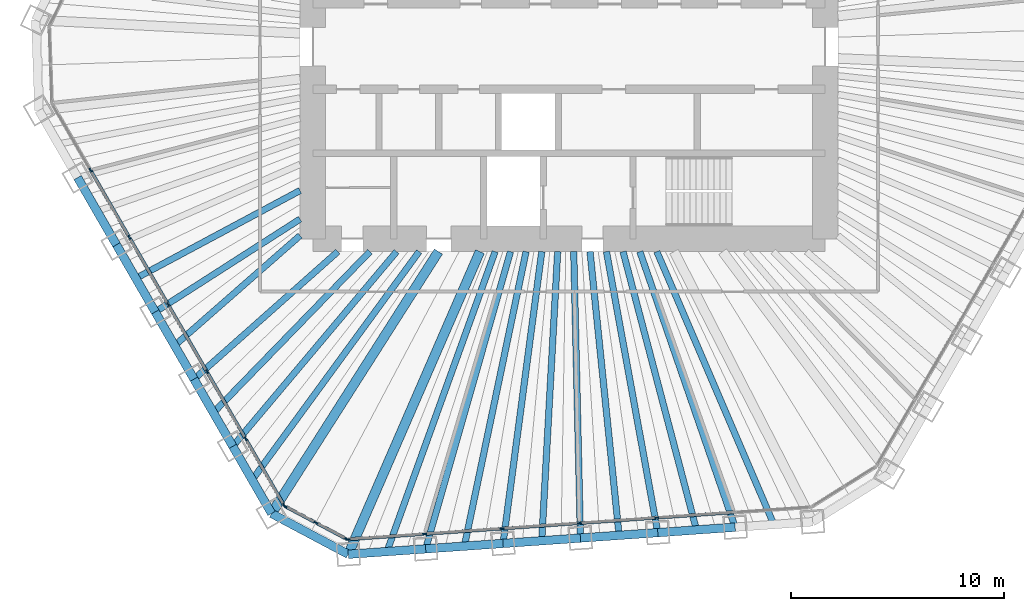
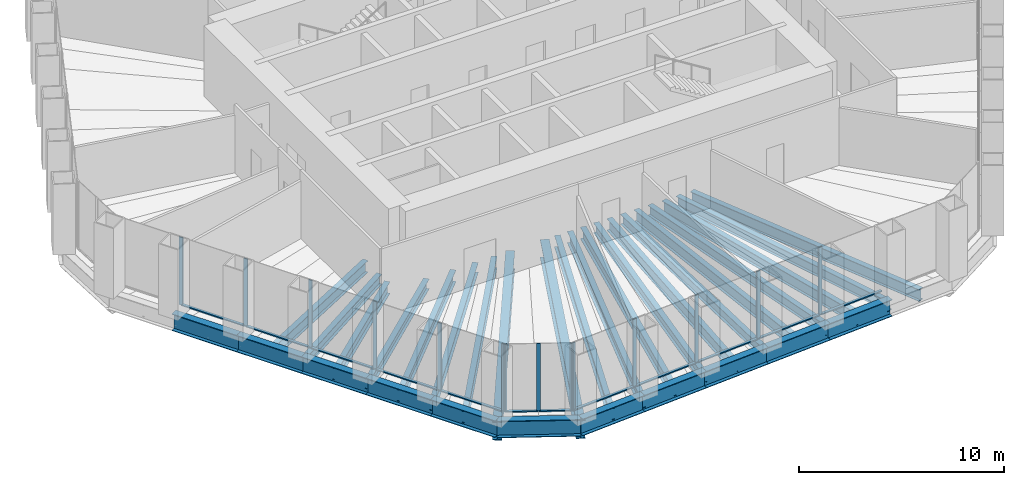
# One storey, part 2 of 13: 31 beams, 26 members, 3 elements without a shape of their own.
"""IFC4 building model written with IfcOpenShell, lengths in metres."""

from ifc_helpers import new_model, si_unit, direction, frame, origin, origin_2d, place, context, subcontext, project, spatial, rectangle, i_section, extrude, material, material_profile, profile_set, type_object, element, aggregate, save


model = new_model("IFC4")

# Units and contexts
model_context = context("Model", 3, precision=1e-05, world=origin(), true_north=direction((0.0, 1.0)))
body_context = subcontext(model_context, "Body", "Model", "MODEL_VIEW")
ifc_project = project(units=[si_unit("LENGTHUNIT", "METRE"), si_unit("AREAUNIT", "SQUARE_METRE"), si_unit("VOLUMEUNIT", "CUBIC_METRE"), si_unit("PLANEANGLEUNIT", "RADIAN"), si_unit("MASSUNIT", "GRAM", prefix="KILO")], contexts=[model_context])

# Site, building, storey
site_placement = place(None, origin())
site = spatial("IfcSite", under=ifc_project, at=site_placement, CompositionType="ELEMENT")
building_placement = place(site_placement, origin())
building = spatial("IfcBuilding", under=site, at=building_placement, Name="Qingtian Harvest Tower", CompositionType="ELEMENT")
storey_placement = place(building_placement, frame((0.0, 0.0, 214.0)))
storey = spatial("IfcBuildingStorey", under=building, at=storey_placement, Name="L46", CompositionType="ELEMENT", Elevation=214.0)

# Beams
ifc_material_1 = material(Name="Steel SM570MC", Category="steel")
ifc_material_profile_1 = material_profile(ifc_material_1, i_section(OverallWidth=0.449951171875, OverallDepth=1.10009765625, WebThickness=0.02197265625, FlangeThickness=0.044921875, at=origin_2d()), Name="H1100x450x22x45")
ifc_profile_set_1 = profile_set([ifc_material_profile_1], Name="Steel SM570MC")
beam_type_1 = type_object("IfcBeamType", Name="Corner floor beam FB8 H1100x450x22x45", PredefinedType="BEAM", material=ifc_profile_set_1)
beam_1_placement = place(storey_placement, frame((-10.33837890625, -23.779052734375, -0.719970703125), z_axis=(0.398714563353, 0.917075077063, 0.0), x_axis=(-0.917075077063, 0.398714563353, 0.0)))
element("IfcBeam", 1, at=beam_1_placement, inside=storey, type_object=beam_type_1, Name="Floor beam FB8 S6", PredefinedType="BEAM", context=body_context, shape_type="SweptSolid", body=[
    extrude(i_section(OverallWidth=0.449951171875, OverallDepth=1.10009765625, WebThickness=0.02197265625, FlangeThickness=0.044921875, at=origin_2d()), origin(), (0.0, 0.0, 1.0), 15.461181640625),
])
beam_2_placement = place(storey_placement, frame((-13.9326171875, -21.8681640625, -0.719970703125), z_axis=(0.537326103898, 0.8433745657, 0.0), x_axis=(-0.8433745657, 0.537326103898, 0.0)))
element("IfcBeam", 2, at=beam_2_placement, inside=storey, type_object=beam_type_1, Name="Floor beam FB8 SW0", PredefinedType="BEAM", context=body_context, shape_type="SweptSolid", body=[
    extrude(i_section(OverallWidth=0.449951171875, OverallDepth=1.10009765625, WebThickness=0.02197265625, FlangeThickness=0.044921875, at=origin_2d()), origin(), (0.0, 0.0, 1.0), 14.54638671875),
])
ifc_material_2 = material(Name="Steel SN490B", Category="steel")
ifc_material_profile_2 = material_profile(ifc_material_2, i_section(OverallWidth=0.300048828125, OverallDepth=0.699951171875, WebThickness=0.012939453125, FlangeThickness=0.02392578125, at=origin_2d()), Name="H700x300x13x24")
ifc_profile_set_2 = profile_set([ifc_material_profile_2], Name="Steel SN490B")
beam_type_2 = type_object("IfcBeamType", Name="Floor beam FB2 H700x300x13x24", PredefinedType="BEAM", material=ifc_profile_set_2)
beam_3_placement = place(storey_placement, frame((-6.713623046875, -23.525634765625, -0.52001953125), z_axis=(0.274411610503, 0.961612327303, 0.0), x_axis=(-0.961612327303, 0.274411610503, 0.0)))
element("IfcBeam", 3, at=beam_3_placement, inside=storey, type_object=beam_type_2, Name="Floor beam FB2 S5", PredefinedType="BEAM", context=body_context, shape_type="SweptSolid", body=[
    extrude(i_section(OverallWidth=0.300048828125, OverallDepth=0.699951171875, WebThickness=0.012939453125, FlangeThickness=0.02392578125, at=origin_2d()), origin(), (0.0, 0.0, 1.0), 14.4814453125),
])
ifc_material_3 = material(Name="Steel SN490B", Category="steel")
ifc_material_profile_3 = material_profile(ifc_material_3, i_section(OverallWidth=0.300048828125, OverallDepth=0.60009765625, WebThickness=0.011962890625, FlangeThickness=0.02001953125, at=origin_2d()), Name="H600x300x12x20")
ifc_profile_set_3 = profile_set([ifc_material_profile_3], Name="Steel SN490B")
beam_type_3 = type_object("IfcBeamType", Name="Floor beam FB3 H600x300x12x20", PredefinedType="BEAM", material=ifc_profile_set_3)
beam_4_placement = place(storey_placement, frame((7.78515625, -22.51171875, -0.469970703125), z_axis=(-0.326844175409, 0.945078242793, 0.0), x_axis=(-0.945078242793, -0.326844175409, 0.0)))
element("IfcBeam", 4, at=beam_4_placement, inside=storey, type_object=beam_type_3, Name="Floor beam FB3 S1", PredefinedType="BEAM", context=body_context, shape_type="SweptSolid", body=[
    extrude(i_section(OverallWidth=0.300048828125, OverallDepth=0.60009765625, WebThickness=0.011962890625, FlangeThickness=0.02001953125, at=origin_2d()), origin(), (0.0, 0.0, 1.0), 13.661865234375),
])
beam_5_placement = place(storey_placement, frame((4.160400390625, -22.76513671875, -0.469970703125), z_axis=(-0.179779537209, 0.983706926885, 0.0), x_axis=(-0.983706926885, -0.179779537209, 0.0)))
element("IfcBeam", 5, at=beam_5_placement, inside=storey, type_object=beam_type_3, Name="Floor beam FB3 S2", PredefinedType="BEAM", context=body_context, shape_type="SweptSolid", body=[
    extrude(i_section(OverallWidth=0.300048828125, OverallDepth=0.60009765625, WebThickness=0.011962890625, FlangeThickness=0.02001953125, at=origin_2d()), origin(), (0.0, 0.0, 1.0), 13.383056640625),
])
beam_6_placement = place(storey_placement, frame((0.53564453125, -23.018798828125, -0.469970703125), z_axis=(-0.023263902078, 0.999729358807, 0.0), x_axis=(-0.999729358807, -0.023263902078, 0.0)))
element("IfcBeam", 6, at=beam_6_placement, inside=storey, type_object=beam_type_3, Name="Floor beam FB3 S3", PredefinedType="BEAM", context=body_context, shape_type="SweptSolid", body=[
    extrude(i_section(OverallWidth=0.300048828125, OverallDepth=0.60009765625, WebThickness=0.011962890625, FlangeThickness=0.02001953125, at=origin_2d()), origin(), (0.0, 0.0, 1.0), 13.42236328125),
])
beam_7_placement = place(storey_placement, frame((-3.089111328125, -23.272216796875, -0.469970703125), z_axis=(0.131593229442, 0.991303799027, 0.0), x_axis=(-0.991303799027, 0.131593229442, 0.0)))
element("IfcBeam", 7, at=beam_7_placement, inside=storey, type_object=beam_type_3, Name="Floor beam FB3 S4", PredefinedType="BEAM", context=body_context, shape_type="SweptSolid", body=[
    extrude(i_section(OverallWidth=0.300048828125, OverallDepth=0.60009765625, WebThickness=0.011962890625, FlangeThickness=0.02001953125, at=origin_2d()), origin(), (0.0, 0.0, 1.0), 13.7919921875),
])
beam_8_placement = place(storey_placement, frame((-15.749267578125, -18.72119140625, -0.469970703125), z_axis=(0.643763532906, 0.765224485821, 0.0), x_axis=(-0.765224485821, 0.643763532906, 0.0)))
element("IfcBeam", 8, at=beam_8_placement, inside=storey, type_object=beam_type_3, Name="Floor beam FB3 SW1", PredefinedType="BEAM", context=body_context, shape_type="SweptSolid", body=[
    extrude(i_section(OverallWidth=0.300048828125, OverallDepth=0.60009765625, WebThickness=0.011962890625, FlangeThickness=0.02001953125, at=origin_2d()), origin(), (0.0, 0.0, 1.0), 11.91943359375),
])
beam_9_placement = place(storey_placement, frame((-17.566162109375, -15.574462890625, -0.469970703125), z_axis=(0.748259768664, 0.663405847577, 0.0), x_axis=(-0.663405847577, 0.748259768664, 0.0)))
element("IfcBeam", 9, at=beam_9_placement, inside=storey, type_object=beam_type_3, Name="Floor beam FB3 SW2", PredefinedType="BEAM", context=body_context, shape_type="SweptSolid", body=[
    extrude(i_section(OverallWidth=0.300048828125, OverallDepth=0.60009765625, WebThickness=0.011962890625, FlangeThickness=0.02001953125, at=origin_2d()), origin(), (0.0, 0.0, 1.0), 9.005615234375),
])
beam_10_placement = place(storey_placement, frame((-19.3828125, -12.427734375, -0.469970703125), z_axis=(0.841823714388, 0.539752567288, 0.0), x_axis=(-0.539752567288, 0.841823714388, 0.0)))
element("IfcBeam", 10, at=beam_10_placement, inside=storey, type_object=beam_type_3, Name="Floor beam FB3 SW3", PredefinedType="BEAM", context=body_context, shape_type="SweptSolid", body=[
    extrude(i_section(OverallWidth=0.300048828125, OverallDepth=0.60009765625, WebThickness=0.011962890625, FlangeThickness=0.02001953125, at=origin_2d()), origin(), (0.0, 0.0, 1.0), 8.05712890625),
])
ifc_material_4 = material(Name="Steel SN490B", Category="steel")
ifc_material_profile_4 = material_profile(ifc_material_4, i_section(OverallWidth=0.300048828125, OverallDepth=0.699951171875, WebThickness=0.012939453125, FlangeThickness=0.02392578125, at=origin_2d()), Name="H700x300x13x24")
ifc_profile_set_4 = profile_set([ifc_material_profile_4], Name="Steel SN490B")
beam_type_4 = type_object("IfcBeamType", Name="Floor joist J2 H700x300x13x24", PredefinedType="JOIST", material=ifc_profile_set_4)
beam_11_placement = place(storey_placement, frame((9.597412109375, -22.385009765625, -0.52001953125), z_axis=(-0.394052741766, 0.919087828614, 0.0), x_axis=(-0.919087828614, -0.394052741766, 0.0)))
element("IfcBeam", 11, at=beam_11_placement, inside=storey, type_object=beam_type_4, Name="Floor joist J2 S0", PredefinedType="JOIST", context=body_context, shape_type="SweptSolid", body=[
    extrude(i_section(OverallWidth=0.300048828125, OverallDepth=0.699951171875, WebThickness=0.012939453125, FlangeThickness=0.02392578125, at=origin_2d()), origin(), (0.0, 0.0, 1.0), 13.910400390625),
])
beam_12_placement = place(storey_placement, frame((5.97265625, -22.638427734375, -0.52001953125), z_axis=(-0.255103716232, 0.9669136952, 0.0), x_axis=(-0.9669136952, -0.255103716232, 0.0)))
element("IfcBeam", 12, at=beam_12_placement, inside=storey, type_object=beam_type_4, Name="Floor joist J2 S1", PredefinedType="JOIST", context=body_context, shape_type="SweptSolid", body=[
    extrude(i_section(OverallWidth=0.300048828125, OverallDepth=0.699951171875, WebThickness=0.012939453125, FlangeThickness=0.02392578125, at=origin_2d()), origin(), (0.0, 0.0, 1.0), 13.484375),
])
beam_13_placement = place(storey_placement, frame((2.347900390625, -22.89208984375, -0.52001953125), z_axis=(-0.102028865499, 0.994781438611, 0.0), x_axis=(-0.994781438611, -0.102028865499, 0.0)))
element("IfcBeam", 13, at=beam_13_placement, inside=storey, type_object=beam_type_4, Name="Floor joist J2 S2", PredefinedType="JOIST", context=body_context, shape_type="SweptSolid", body=[
    extrude(i_section(OverallWidth=0.300048828125, OverallDepth=0.699951171875, WebThickness=0.012939453125, FlangeThickness=0.02392578125, at=origin_2d()), origin(), (0.0, 0.0, 1.0), 13.36181640625),
])
beam_14_placement = place(storey_placement, frame((-1.276611328125, -23.1455078125, -0.52001953125), z_axis=(0.055069329716, 0.998482533109, 0.0), x_axis=(-0.998482533109, 0.055069329716, 0.0)))
element("IfcBeam", 14, at=beam_14_placement, inside=storey, type_object=beam_type_4, Name="Floor joist J2 S3", PredefinedType="JOIST", context=body_context, shape_type="SweptSolid", body=[
    extrude(i_section(OverallWidth=0.300048828125, OverallDepth=0.699951171875, WebThickness=0.012939453125, FlangeThickness=0.02392578125, at=origin_2d()), origin(), (0.0, 0.0, 1.0), 13.56591796875),
])
beam_15_placement = place(storey_placement, frame((-4.9013671875, -23.39892578125, -0.52001953125), z_axis=(0.205016322093, 0.978758554331, 0.0), x_axis=(-0.978758554331, 0.205016322093, 0.0)))
element("IfcBeam", 15, at=beam_15_placement, inside=storey, type_object=beam_type_4, Name="Floor joist J2 S4", PredefinedType="JOIST", context=body_context, shape_type="SweptSolid", body=[
    extrude(i_section(OverallWidth=0.300048828125, OverallDepth=0.699951171875, WebThickness=0.012939453125, FlangeThickness=0.02392578125, at=origin_2d()), origin(), (0.0, 0.0, 1.0), 14.098388671875),
])
beam_16_placement = place(storey_placement, frame((-8.526123046875, -23.65234375, -0.52001953125), z_axis=(0.339126305921, 0.940740850943, 0.0), x_axis=(-0.940740850943, 0.339126305921, 0.0)))
element("IfcBeam", 16, at=beam_16_placement, inside=storey, type_object=beam_type_4, Name="Floor joist J2 S5", PredefinedType="JOIST", context=body_context, shape_type="SweptSolid", body=[
    extrude(i_section(OverallWidth=0.300048828125, OverallDepth=0.699951171875, WebThickness=0.012939453125, FlangeThickness=0.02392578125, at=origin_2d()), origin(), (0.0, 0.0, 1.0), 14.9375),
])
beam_17_placement = place(storey_placement, frame((-14.841064453125, -20.294677734375, -0.52001953125), z_axis=(0.590288677526, 0.807192218238, 0.0), x_axis=(-0.807192218238, 0.590288677526, 0.0)))
element("IfcBeam", 17, at=beam_17_placement, inside=storey, type_object=beam_type_4, Name="Floor joist J2 SW0", PredefinedType="JOIST", context=body_context, shape_type="SweptSolid", body=[
    extrude(i_section(OverallWidth=0.300048828125, OverallDepth=0.699951171875, WebThickness=0.012939453125, FlangeThickness=0.02392578125, at=origin_2d()), origin(), (0.0, 0.0, 1.0), 13.2490234375),
])
beam_18_placement = place(storey_placement, frame((-16.65771484375, -17.14794921875, -0.52001953125), z_axis=(0.696777499009, 0.717287332158, 0.0), x_axis=(-0.717287332158, 0.696777499009, 0.0)))
element("IfcBeam", 18, at=beam_18_placement, inside=storey, type_object=beam_type_4, Name="Floor joist J2 SW1", PredefinedType="JOIST", context=body_context, shape_type="SweptSolid", body=[
    extrude(i_section(OverallWidth=0.300048828125, OverallDepth=0.699951171875, WebThickness=0.012939453125, FlangeThickness=0.02392578125, at=origin_2d()), origin(), (0.0, 0.0, 1.0), 10.522705078125),
])
beam_19_placement = place(storey_placement, frame((-18.474609375, -14.001220703125, -0.52001953125), z_axis=(0.751883296969, 0.659296221542, 0.0), x_axis=(-0.659296221542, 0.751883296969, 0.0)))
element("IfcBeam", 19, at=beam_19_placement, inside=storey, type_object=beam_type_4, Name="Floor joist J2 SW2", PredefinedType="JOIST", context=body_context, shape_type="SweptSolid", body=[
    extrude(i_section(OverallWidth=0.300048828125, OverallDepth=0.699951171875, WebThickness=0.012939453125, FlangeThickness=0.02392578125, at=origin_2d()), origin(), (0.0, 0.0, 1.0), 7.81298828125),
])
beam_20_placement = place(storey_placement, frame((-20.291259765625, -10.8544921875, -0.52001953125), z_axis=(0.881766503154, 0.471686160402, 0.0), x_axis=(-0.471686160402, 0.881766503154, 0.0)))
element("IfcBeam", 20, at=beam_20_placement, inside=storey, type_object=beam_type_4, Name="Floor joist J2 SW3", PredefinedType="JOIST", context=body_context, shape_type="SweptSolid", body=[
    extrude(i_section(OverallWidth=0.300048828125, OverallDepth=0.699951171875, WebThickness=0.012939453125, FlangeThickness=0.02392578125, at=origin_2d()), origin(), (0.0, 0.0, 1.0), 8.722412109375),
])

# Curtain wall, members
ifc_material_5 = material(Name="Bronze-anodised aluminium curtain wall", Category="aluminium")
curtain_wall_type = type_object("IfcCurtainWallType", Name="Curtain wall CW4 office", PredefinedType="USERDEFINED", material=ifc_material_5)
curtain_wall_1_placement = place(storey_placement, origin())
curtain_wall_1 = element("IfcCurtainWall", 21, at=curtain_wall_1_placement, inside=storey, type_object=curtain_wall_type, Name="Curtain wall CW4 L46 S0-5", ObjectType="RECESSED CURTAIN WALL", PredefinedType="USERDEFINED")
ifc_material_6 = material(Name="Bronze-anodised aluminium mullion", Category="aluminium")
ifc_material_profile_5 = material_profile(ifc_material_6, rectangle(XDim=0.06494140625, YDim=0.199951171875, at=origin_2d()), Name="AL 65x200")
ifc_profile_set_5 = profile_set([ifc_material_profile_5], Name="Bronze-anodised aluminium mullion")
member_type_1 = type_object("IfcMemberType", Name="Mullion CWM 65x200", PredefinedType="MULLION", material=ifc_profile_set_5)
member_1_placement = place(storey_placement, frame((4.111572265625, -22.06689453125, 0.0), z_axis=(0.0, 0.0, 1.0), x_axis=(0.069756473744, -0.99756405026, 0.0)))
member_1 = element("IfcMember", 22, at=member_1_placement, type_object=member_type_1, Name="CW4 mullion 3", PredefinedType="MULLION", context=body_context, shape_type="SweptSolid", body=[
    extrude(rectangle(XDim=0.06494140625, YDim=0.199951171875, at=origin_2d()), origin(), (0.0, 0.0, 1.0), 4.030029296875),
])
member_2_placement = place(storey_placement, frame((0.48681640625, -22.3203125, 0.0), z_axis=(0.0, 0.0, 1.0), x_axis=(0.069756473744, -0.99756405026, 0.0)))
member_2 = element("IfcMember", 23, at=member_2_placement, type_object=member_type_1, Name="CW4 mullion 4", PredefinedType="MULLION", context=body_context, shape_type="SweptSolid", body=[
    extrude(rectangle(XDim=0.06494140625, YDim=0.199951171875, at=origin_2d()), origin(), (0.0, 0.0, 1.0), 4.030029296875),
])
member_3_placement = place(storey_placement, frame((-3.137939453125, -22.573974609375, 0.0), z_axis=(0.0, 0.0, 1.0), x_axis=(0.069756473744, -0.99756405026, 0.0)))
member_3 = element("IfcMember", 24, at=member_3_placement, type_object=member_type_1, Name="CW4 mullion 5", PredefinedType="MULLION", context=body_context, shape_type="SweptSolid", body=[
    extrude(rectangle(XDim=0.06494140625, YDim=0.199951171875, at=origin_2d()), origin(), (0.0, 0.0, 1.0), 4.030029296875),
])
member_4_placement = place(storey_placement, frame((-6.762451171875, -22.827392578125, 0.0), z_axis=(0.0, 0.0, 1.0), x_axis=(0.069756473744, -0.99756405026, 0.0)))
member_4 = element("IfcMember", 25, at=member_4_placement, type_object=member_type_1, Name="CW4 mullion 6", PredefinedType="MULLION", context=body_context, shape_type="SweptSolid", body=[
    extrude(rectangle(XDim=0.06494140625, YDim=0.199951171875, at=origin_2d()), origin(), (0.0, 0.0, 1.0), 4.030029296875),
])
member_5_placement = place(storey_placement, frame((-10.354736328125, -23.07861328125, 0.0), z_axis=(0.0, 0.0, 1.0), x_axis=(0.069756473744, -0.99756405026, 0.0)))
member_5 = element("IfcMember", 26, at=member_5_placement, type_object=member_type_1, Name="CW4 mullion 7", PredefinedType="MULLION", context=body_context, shape_type="SweptSolid", body=[
    extrude(rectangle(XDim=0.06494140625, YDim=0.199951171875, at=origin_2d()), origin(), (0.0, 0.0, 1.0), 4.030029296875),
])

curtain_wall_2_placement = place(storey_placement, origin())
curtain_wall_2 = element("IfcCurtainWall", 27, at=curtain_wall_2_placement, inside=storey, type_object=curtain_wall_type, Name="Curtain wall CW4 L46 SC", ObjectType="RECESSED CURTAIN WALL", PredefinedType="USERDEFINED")
member_6_placement = place(storey_placement, frame((-10.416015625, -23.0654296875, 0.0), z_axis=(0.0, 0.0, 1.0), x_axis=(-0.469471562786, -0.882947592859, 0.0)))
member_6 = element("IfcMember", 28, at=member_6_placement, type_object=member_type_1, Name="CW4 mullion 1", PredefinedType="MULLION", context=body_context, shape_type="SweptSolid", body=[
    extrude(rectangle(XDim=0.06494140625, YDim=0.199951171875, at=origin_2d()), origin(), (0.0, 0.0, 1.0), 4.030029296875),
])
member_7_placement = place(storey_placement, frame((-11.85693359375, -22.29931640625, 0.0), z_axis=(0.0, 0.0, 1.0), x_axis=(-0.469471562786, -0.882947592859, 0.0)))
member_7 = element("IfcMember", 29, at=member_7_placement, type_object=member_type_1, Name="CW4 mullion 2", PredefinedType="MULLION", context=body_context, shape_type="SweptSolid", body=[
    extrude(rectangle(XDim=0.06494140625, YDim=0.199951171875, at=origin_2d()), origin(), (0.0, 0.0, 1.0), 4.030029296875),
])
member_8_placement = place(storey_placement, frame((-13.297607421875, -21.533203125, 0.0), z_axis=(0.0, 0.0, 1.0), x_axis=(-0.469471562786, -0.882947592859, 0.0)))
member_8 = element("IfcMember", 30, at=member_8_placement, type_object=member_type_1, Name="CW4 mullion 3", PredefinedType="MULLION", context=body_context, shape_type="SweptSolid", body=[
    extrude(rectangle(XDim=0.06494140625, YDim=0.199951171875, at=origin_2d()), origin(), (0.0, 0.0, 1.0), 4.030029296875),
])

curtain_wall_3_placement = place(storey_placement, origin())
curtain_wall_3 = element("IfcCurtainWall", 31, at=curtain_wall_3_placement, inside=storey, type_object=curtain_wall_type, Name="Curtain wall CW4 L46 SW0-5", ObjectType="RECESSED CURTAIN WALL", PredefinedType="USERDEFINED")
member_9_placement = place(storey_placement, frame((-13.342529296875, -21.489990234375, 0.0), z_axis=(0.0, 0.0, 1.0), x_axis=(-0.866025403784, -0.5, 0.0)))
member_9 = element("IfcMember", 32, at=member_9_placement, type_object=member_type_1, Name="CW4 mullion 1", PredefinedType="MULLION", context=body_context, shape_type="SweptSolid", body=[
    extrude(rectangle(XDim=0.06494140625, YDim=0.199951171875, at=origin_2d()), origin(), (0.0, 0.0, 1.0), 4.030029296875),
])
member_10_placement = place(storey_placement, frame((-15.14306640625, -18.371337890625, 0.0), z_axis=(0.0, 0.0, 1.0), x_axis=(-0.866025403784, -0.5, 0.0)))
member_10 = element("IfcMember", 33, at=member_10_placement, type_object=member_type_1, Name="CW4 mullion 2", PredefinedType="MULLION", context=body_context, shape_type="SweptSolid", body=[
    extrude(rectangle(XDim=0.06494140625, YDim=0.199951171875, at=origin_2d()), origin(), (0.0, 0.0, 1.0), 4.030029296875),
])
member_11_placement = place(storey_placement, frame((-16.9599609375, -15.224609375, 0.0), z_axis=(0.0, 0.0, 1.0), x_axis=(-0.866025403784, -0.5, 0.0)))
member_11 = element("IfcMember", 34, at=member_11_placement, type_object=member_type_1, Name="CW4 mullion 3", PredefinedType="MULLION", context=body_context, shape_type="SweptSolid", body=[
    extrude(rectangle(XDim=0.06494140625, YDim=0.199951171875, at=origin_2d()), origin(), (0.0, 0.0, 1.0), 4.030029296875),
])
member_12_placement = place(storey_placement, frame((-18.776611328125, -12.077880859375, 0.0), z_axis=(0.0, 0.0, 1.0), x_axis=(-0.866025403784, -0.5, 0.0)))
member_12 = element("IfcMember", 35, at=member_12_placement, type_object=member_type_1, Name="CW4 mullion 4", PredefinedType="MULLION", context=body_context, shape_type="SweptSolid", body=[
    extrude(rectangle(XDim=0.06494140625, YDim=0.199951171875, at=origin_2d()), origin(), (0.0, 0.0, 1.0), 4.030029296875),
])
member_13_placement = place(storey_placement, frame((-20.593505859375, -8.93115234375, 0.0), z_axis=(0.0, 0.0, 1.0), x_axis=(-0.866025403784, -0.5, 0.0)))
member_13 = element("IfcMember", 36, at=member_13_placement, type_object=member_type_1, Name="CW4 mullion 5", PredefinedType="MULLION", context=body_context, shape_type="SweptSolid", body=[
    extrude(rectangle(XDim=0.06494140625, YDim=0.199951171875, at=origin_2d()), origin(), (0.0, 0.0, 1.0), 4.030029296875),
])
member_14_placement = place(storey_placement, frame((-22.41015625, -5.784423828125, 0.0), z_axis=(0.0, 0.0, 1.0), x_axis=(-0.866025403784, -0.5, 0.0)))
member_14 = element("IfcMember", 37, at=member_14_placement, type_object=member_type_1, Name="CW4 mullion 6", PredefinedType="MULLION", context=body_context, shape_type="SweptSolid", body=[
    extrude(rectangle(XDim=0.06494140625, YDim=0.199951171875, at=origin_2d()), origin(), (0.0, 0.0, 1.0), 4.030029296875),
])

# Beams
ifc_material_7 = material(Name="Steel SN490B", Category="steel")
ifc_material_profile_6 = material_profile(ifc_material_7, i_section(OverallWidth=0.39990234375, OverallDepth=1.0, WebThickness=0.01904296875, FlangeThickness=0.035888671875, at=origin_2d()), Name="H1000x400x19x36")
ifc_profile_set_6 = profile_set([ifc_material_profile_6], Name="Steel SN490B")
beam_type_5 = type_object("IfcBeamType", Name="Spandrel beam SB3 H1000x400x19x36", PredefinedType="SPANDREL", material=ifc_profile_set_6)
for number, where, z_axis, x_axis, name in (
    (38, (7.78515625, -22.51171875, -0.5), (-0.997565001055, -0.069742875402, 0.0), (0.069742875402, -0.997565001055, 0.0), "Spandrel SB3 S1"),
    (39, (4.160400390625, -22.76513671875, -0.5), (-0.997560324246, -0.069809737785, 0.0), (0.069809737785, -0.997560324246, 0.0), "Spandrel SB3 S2"),
    (40, (0.53564453125, -23.018798828125, -0.5), (-0.997565001055, -0.069742875402, 0.0), (0.069742875402, -0.997565001055, 0.0), "Spandrel SB3 S3"),
):
    element("IfcBeam", number, at=place(storey_placement, frame(where, z_axis=z_axis, x_axis=x_axis)), inside=storey, type_object=beam_type_5, Name=name, PredefinedType="SPANDREL", context=body_context, shape_type="SweptSolid", body=[
        extrude(i_section(OverallWidth=0.39990234375, OverallDepth=1.0, WebThickness=0.01904296875, FlangeThickness=0.035888671875, at=origin_2d()), origin(), (0.0, 0.0, 1.0), 3.633544921875),
    ])
beam_21_placement = place(storey_placement, frame((-3.089111328125, -23.272216796875, -0.5), z_axis=(-0.997564674207, -0.069747550305, 0.0), x_axis=(0.069747550305, -0.997564674207, 0.0)))
element("IfcBeam", 41, at=beam_21_placement, inside=storey, type_object=beam_type_5, Name="Spandrel SB3 S4", PredefinedType="SPANDREL", context=body_context, shape_type="SweptSolid", body=[
    extrude(i_section(OverallWidth=0.39990234375, OverallDepth=1.0, WebThickness=0.01904296875, FlangeThickness=0.035888671875, at=origin_2d()), origin(), (0.0, 0.0, 1.0), 3.63330078125),
])
beam_22_placement = place(storey_placement, frame((-6.713623046875, -23.525634765625, -0.5), z_axis=(-0.997565001055, -0.069742875402, 0.0), x_axis=(0.069742875402, -0.997565001055, 0.0)))
element("IfcBeam", 42, at=beam_22_placement, inside=storey, type_object=beam_type_5, Name="Spandrel SB3 S5", PredefinedType="SPANDREL", context=body_context, shape_type="SweptSolid", body=[
    extrude(i_section(OverallWidth=0.39990234375, OverallDepth=1.0, WebThickness=0.01904296875, FlangeThickness=0.035888671875, at=origin_2d()), origin(), (0.0, 0.0, 1.0), 3.633544921875),
])
beam_23_placement = place(storey_placement, frame((-10.33837890625, -23.779052734375, -0.5), z_axis=(-0.882968133669, 0.469432929101, 0.0), x_axis=(-0.469432929101, -0.882968133669, 0.0)))
element("IfcBeam", 43, at=beam_23_placement, inside=storey, type_object=beam_type_5, Name="Spandrel SB3 SC", PredefinedType="SPANDREL", context=body_context, shape_type="SweptSolid", body=[
    extrude(i_section(OverallWidth=0.39990234375, OverallDepth=1.0, WebThickness=0.01904296875, FlangeThickness=0.035888671875, at=origin_2d()), origin(), (0.0, 0.0, 1.0), 4.070556640625),
])
beam_24_placement = place(storey_placement, frame((-13.9326171875, -21.8681640625, -0.5), z_axis=(-0.499947341849, 0.866055803848, 0.0), x_axis=(-0.866055803848, -0.499947341849, 0.0)))
element("IfcBeam", 44, at=beam_24_placement, inside=storey, type_object=beam_type_5, Name="Spandrel SB3 SW0", PredefinedType="SPANDREL", context=body_context, shape_type="SweptSolid", body=[
    extrude(i_section(OverallWidth=0.39990234375, OverallDepth=1.0, WebThickness=0.01904296875, FlangeThickness=0.035888671875, at=origin_2d()), origin(), (0.0, 0.0, 1.0), 3.6337890625),
])
for number, where, z_axis, x_axis, name in (
    (45, (-15.749267578125, -18.72119140625, -0.5), (-0.500026827678, 0.866009914263, 0.0), (-0.866009914263, -0.500026827678, 0.0), "Spandrel SB3 SW1"),
    (46, (-17.566162109375, -15.574462890625, -0.5), (-0.499976434558, 0.866039008871, 0.0), (-0.866039008871, -0.499976434558, 0.0), "Spandrel SB3 SW2"),
    (47, (-19.3828125, -12.427734375, -0.5), (-0.500026827678, 0.866009914263, 0.0), (-0.866009914263, -0.500026827678, 0.0), "Spandrel SB3 SW3"),
    (48, (-21.19970703125, -9.281005859375, -0.5), (-0.499976434558, 0.866039008871, 0.0), (-0.866039008871, -0.499976434558, 0.0), "Spandrel SB3 SW4"),
):
    element("IfcBeam", number, at=place(storey_placement, frame(where, z_axis=z_axis, x_axis=x_axis)), inside=storey, type_object=beam_type_5, Name=name, PredefinedType="SPANDREL", context=body_context, shape_type="SweptSolid", body=[
        extrude(i_section(OverallWidth=0.39990234375, OverallDepth=1.0, WebThickness=0.01904296875, FlangeThickness=0.035888671875, at=origin_2d()), origin(), (0.0, 0.0, 1.0), 3.633544921875),
    ])

# Member
ifc_material_8 = material(Name="Bronze-anodised aluminium transom", Category="aluminium")
ifc_material_profile_7 = material_profile(ifc_material_8, rectangle(XDim=0.14990234375, YDim=0.06494140625, at=origin_2d()), Name="AL 65x150")
ifc_profile_set_7 = profile_set([ifc_material_profile_7], Name="Bronze-anodised aluminium transom")
member_type_2 = type_object("IfcMemberType", Name="Transom CWT 65x150", PredefinedType="USERDEFINED", material=ifc_profile_set_7)
member_15_placement = place(storey_placement, frame((7.703857421875, -21.815673828125, 0.032470703125), z_axis=(-0.997562159126, -0.069783512949, 0.0), x_axis=(0.069783512949, -0.997562159126, 0.0)))
member_15 = element("IfcMember", 49, at=member_15_placement, type_object=member_type_2, Name="CW4 transom 2.1", ObjectType="TRANSOM", PredefinedType="USERDEFINED", context=body_context, shape_type="SweptSolid", body=[
    extrude(rectangle(XDim=0.14990234375, YDim=0.06494140625, at=origin_2d()), origin(), (0.0, 0.0, 1.0), 3.568603515625),
])

member_16_placement = place(storey_placement, frame((4.0791015625, -22.0693359375, 0.032470703125), z_axis=(-0.99756691944, -0.069715430417, 0.0), x_axis=(0.069715430417, -0.99756691944, 0.0)))
member_16 = element("IfcMember", 50, at=member_16_placement, type_object=member_type_2, Name="CW4 transom 3.1", ObjectType="TRANSOM", PredefinedType="USERDEFINED", context=body_context, shape_type="SweptSolid", body=[
    extrude(rectangle(XDim=0.14990234375, YDim=0.06494140625, at=origin_2d()), origin(), (0.0, 0.0, 1.0), 3.568603515625),
])

member_17_placement = place(storey_placement, frame((0.454345703125, -22.32275390625, 0.032470703125), z_axis=(-0.99756691944, -0.069715430417, 0.0), x_axis=(0.069715430417, -0.99756691944, 0.0)))
member_17 = element("IfcMember", 51, at=member_17_placement, type_object=member_type_2, Name="CW4 transom 4.1", ObjectType="TRANSOM", PredefinedType="USERDEFINED", context=body_context, shape_type="SweptSolid", body=[
    extrude(rectangle(XDim=0.14990234375, YDim=0.06494140625, at=origin_2d()), origin(), (0.0, 0.0, 1.0), 3.568603515625),
])

member_18_placement = place(storey_placement, frame((-3.170166015625, -22.576171875, 0.032470703125), z_axis=(-0.997567251922, -0.069710672727, 0.0), x_axis=(0.069710672727, -0.997567251922, 0.0)))
member_18 = element("IfcMember", 52, at=member_18_placement, type_object=member_type_2, Name="CW4 transom 5.1", ObjectType="TRANSOM", PredefinedType="USERDEFINED", context=body_context, shape_type="SweptSolid", body=[
    extrude(rectangle(XDim=0.14990234375, YDim=0.06494140625, at=origin_2d()), origin(), (0.0, 0.0, 1.0), 3.56884765625),
])

member_19_placement = place(storey_placement, frame((-6.794921875, -22.82958984375, 0.032470703125), z_axis=(-0.997565839557, -0.069730880888, 0.0), x_axis=(0.069730880888, -0.997565839557, 0.0)))
member_19 = element("IfcMember", 53, at=member_19_placement, type_object=member_type_2, Name="CW4 transom 6.1", ObjectType="TRANSOM", PredefinedType="USERDEFINED", context=body_context, shape_type="SweptSolid", body=[
    extrude(rectangle(XDim=0.14990234375, YDim=0.06494140625, at=origin_2d()), origin(), (0.0, 0.0, 1.0), 3.5361328125),
])

aggregate(curtain_wall_1, [member_1, member_2, member_3, member_4, member_5, member_15, member_16, member_17, member_18, member_19])

member_20_placement = place(storey_placement, frame((-10.444580078125, -23.05029296875, 0.032470703125), z_axis=(-0.882960338349, 0.46944759122, 0.0), x_axis=(-0.46944759122, -0.882960338349, 0.0)))
member_20 = element("IfcMember", 54, at=member_20_placement, type_object=member_type_2, Name="CW4 transom 1.1", ObjectType="TRANSOM", PredefinedType="USERDEFINED", context=body_context, shape_type="SweptSolid", body=[
    extrude(rectangle(XDim=0.14990234375, YDim=0.06494140625, at=origin_2d()), origin(), (0.0, 0.0, 1.0), 1.56689453125),
])

member_21_placement = place(storey_placement, frame((-11.885498046875, -22.2841796875, 0.032470703125), z_axis=(-0.882960338349, 0.46944759122, 0.0), x_axis=(-0.46944759122, -0.882960338349, 0.0)))
member_21 = element("IfcMember", 55, at=member_21_placement, type_object=member_type_2, Name="CW4 transom 2.1", ObjectType="TRANSOM", PredefinedType="USERDEFINED", context=body_context, shape_type="SweptSolid", body=[
    extrude(rectangle(XDim=0.14990234375, YDim=0.06494140625, at=origin_2d()), origin(), (0.0, 0.0, 1.0), 1.56689453125),
])

aggregate(curtain_wall_2, [member_6, member_7, member_8, member_20, member_21])

member_22_placement = place(storey_placement, frame((-13.35888671875, -21.461669921875, 0.032470703125), z_axis=(-0.500015305566, 0.866016566931, 0.0), x_axis=(-0.866016566931, -0.500015305566, 0.0)))
member_22 = element("IfcMember", 56, at=member_22_placement, type_object=member_type_2, Name="CW4 transom 1.1", ObjectType="TRANSOM", PredefinedType="USERDEFINED", context=body_context, shape_type="SweptSolid", body=[
    extrude(rectangle(XDim=0.14990234375, YDim=0.06494140625, at=origin_2d()), origin(), (0.0, 0.0, 1.0), 3.5361328125),
])

member_23_placement = place(storey_placement, frame((-15.159423828125, -18.34326171875, 0.032470703125), z_axis=(-0.499965259726, 0.866045460162, 0.0), x_axis=(-0.866045460162, -0.499965259726, 0.0)))
member_23 = element("IfcMember", 57, at=member_23_placement, type_object=member_type_2, Name="CW4 transom 2.1", ObjectType="TRANSOM", PredefinedType="USERDEFINED", context=body_context, shape_type="SweptSolid", body=[
    extrude(rectangle(XDim=0.14990234375, YDim=0.06494140625, at=origin_2d()), origin(), (0.0, 0.0, 1.0), 3.568603515625),
])

member_24_placement = place(storey_placement, frame((-16.97607421875, -15.1962890625, 0.032470703125), z_axis=(-0.500046194516, 0.865998731726, 0.0), x_axis=(-0.865998731726, -0.500046194516, 0.0)))
member_24 = element("IfcMember", 58, at=member_24_placement, type_object=member_type_2, Name="CW4 transom 3.1", ObjectType="TRANSOM", PredefinedType="USERDEFINED", context=body_context, shape_type="SweptSolid", body=[
    extrude(rectangle(XDim=0.14990234375, YDim=0.06494140625, at=origin_2d()), origin(), (0.0, 0.0, 1.0), 3.568603515625),
])

member_25_placement = place(storey_placement, frame((-18.79296875, -12.049560546875, 0.032470703125), z_axis=(-0.499994883695, 0.866028357664, 0.0), x_axis=(-0.866028357664, -0.499994883695, 0.0)))
member_25 = element("IfcMember", 59, at=member_25_placement, type_object=member_type_2, Name="CW4 transom 4.1", ObjectType="TRANSOM", PredefinedType="USERDEFINED", context=body_context, shape_type="SweptSolid", body=[
    extrude(rectangle(XDim=0.14990234375, YDim=0.06494140625, at=origin_2d()), origin(), (0.0, 0.0, 1.0), 3.568359375),
])

member_26_placement = place(storey_placement, frame((-20.609619140625, -8.90283203125, 0.032470703125), z_axis=(-0.500046194516, 0.865998731726, 0.0), x_axis=(-0.865998731726, -0.500046194516, 0.0)))
member_26 = element("IfcMember", 60, at=member_26_placement, type_object=member_type_2, Name="CW4 transom 5.1", ObjectType="TRANSOM", PredefinedType="USERDEFINED", context=body_context, shape_type="SweptSolid", body=[
    extrude(rectangle(XDim=0.14990234375, YDim=0.06494140625, at=origin_2d()), origin(), (0.0, 0.0, 1.0), 3.568603515625),
])

aggregate(curtain_wall_3, [member_9, member_10, member_11, member_12, member_13, member_14, member_22, member_23, member_24, member_25, member_26])

save(model, "model.ifc")
